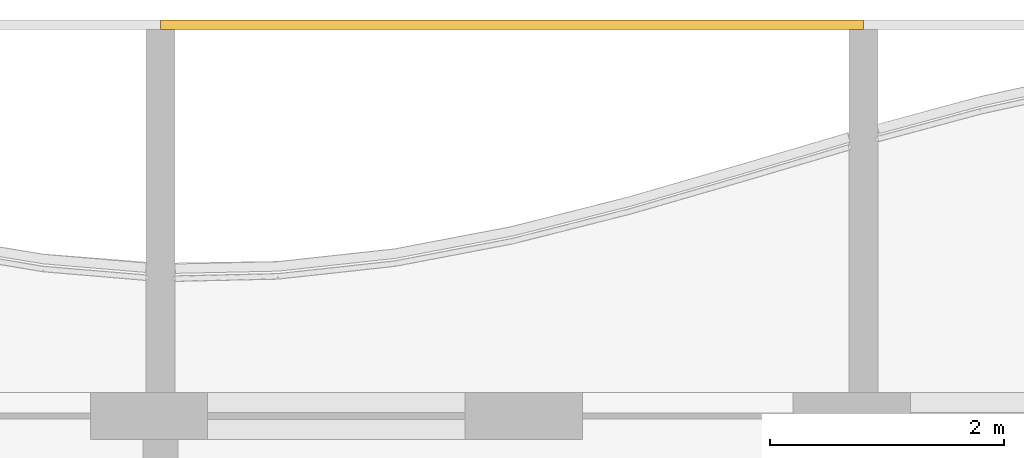
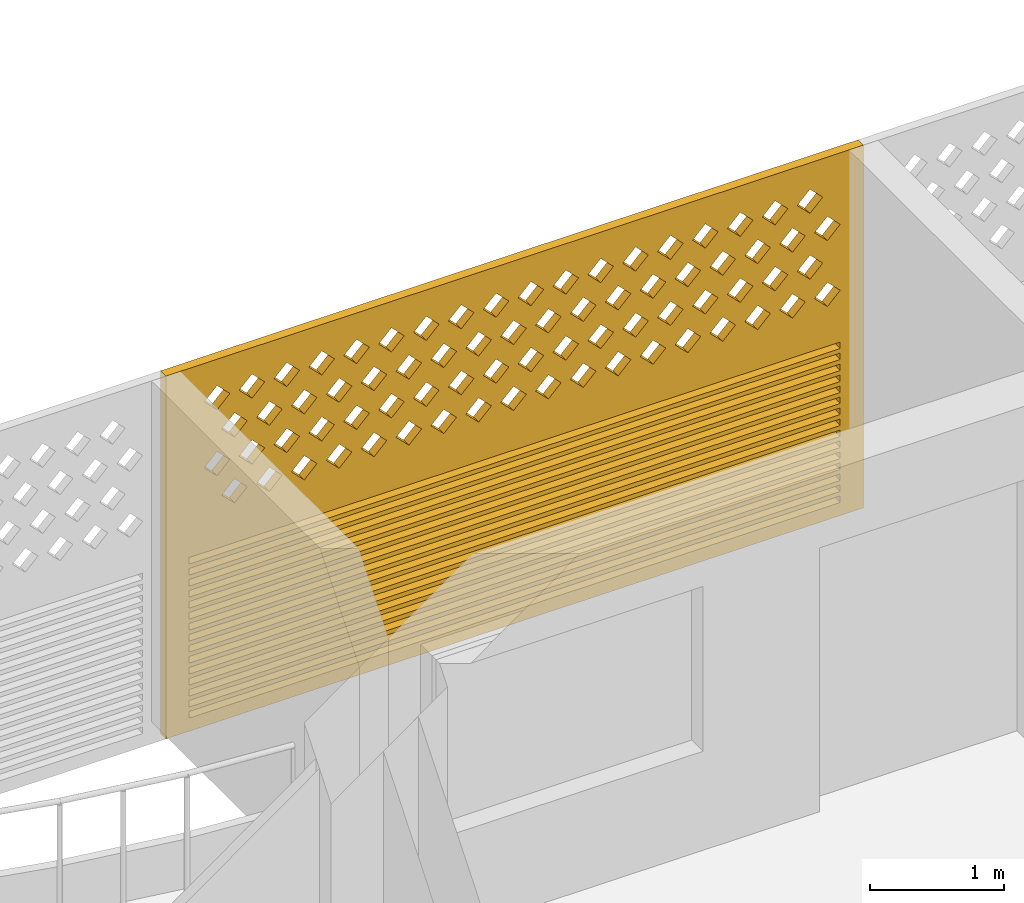
# One storey, part 22 of 32: 1 covering.
"""IFC4 building model written with IfcOpenShell, lengths in metres."""

from ifc_helpers import new_model, si_unit, direction, frame, origin, place, context, subcontext, project, spatial, polyline, outline, extrude, source, transform, mapped, material, material_profile, profile_set, type_object, element, save


model = new_model("IFC4")

# Units and contexts
model_context = context("Model", 3, precision=1e-05, world=origin(), true_north=direction((0.0, 1.0)))
body_context = subcontext(model_context, "Body", "Model", "MODEL_VIEW")
ifc_project = project(units=[si_unit("LENGTHUNIT", "METRE"), si_unit("AREAUNIT", "SQUARE_METRE"), si_unit("VOLUMEUNIT", "CUBIC_METRE"), si_unit("PLANEANGLEUNIT", "RADIAN"), si_unit("MASSUNIT", "GRAM", prefix="KILO")], contexts=[model_context])

# Site, building, storey
site_placement = place(None, origin())
site = spatial("IfcSite", under=ifc_project, at=site_placement, CompositionType="ELEMENT")
building_placement = place(site_placement, origin())
building = spatial("IfcBuilding", under=site, at=building_placement, Name="Poui Terraces", CompositionType="ELEMENT")
storey_placement = place(building_placement, frame((0.0, 0.0, 125.699951171875)))
storey = spatial("IfcBuildingStorey", under=building, at=storey_placement, Name="L34", CompositionType="ELEMENT", Elevation=125.699951171875)

# Covering
ifc_material = material(Name="Terracotta screen", Category="masonry")
ifc_material_profile = material_profile(ifc_material, outline(polyline([(-3.0, -1.64990234375), (3.0, -1.64990234375), (3.0, 1.64990234375), (-3.0, 1.64990234375), (-3.0, -1.64990234375)]), holes=[polyline([(-2.800048828125, 0.39990234375), (-2.68994140625, 0.2900390625), (-2.580078125, 0.39990234375), (-2.68994140625, 0.510009765625), (-2.800048828125, 0.39990234375)]), polyline([(-2.5, 0.39990234375), (-2.389892578125, 0.2900390625), (-2.280029296875, 0.39990234375), (-2.389892578125, 0.510009765625), (-2.5, 0.39990234375)]), polyline([(-2.199951171875, 0.39990234375), (-2.090087890625, 0.2900390625), (-1.97998046875, 0.39990234375), (-2.090087890625, 0.510009765625), (-2.199951171875, 0.39990234375)]), polyline([(-1.89990234375, 0.39990234375), (-1.7900390625, 0.2900390625), (-1.679931640625, 0.39990234375), (-1.7900390625, 0.510009765625), (-1.89990234375, 0.39990234375)]), polyline([(-1.60009765625, 0.39990234375), (-1.489990234375, 0.2900390625), (-1.3798828125, 0.39990234375), (-1.489990234375, 0.510009765625), (-1.60009765625, 0.39990234375)]), polyline([(-1.300048828125, 0.39990234375), (-1.18994140625, 0.2900390625), (-1.080078125, 0.39990234375), (-1.18994140625, 0.510009765625), (-1.300048828125, 0.39990234375)]), polyline([(-1.0, 0.39990234375), (-0.889892578125, 0.2900390625), (-0.780029296875, 0.39990234375), (-0.889892578125, 0.510009765625), (-1.0, 0.39990234375)]), polyline([(-0.699951171875, 0.39990234375), (-0.590087890625, 0.2900390625), (-0.47998046875, 0.39990234375), (-0.590087890625, 0.510009765625), (-0.699951171875, 0.39990234375)]), polyline([(-0.39990234375, 0.39990234375), (-0.2900390625, 0.2900390625), (-0.179931640625, 0.39990234375), (-0.2900390625, 0.510009765625), (-0.39990234375, 0.39990234375)]), polyline([(-0.10009765625, 0.39990234375), (0.010009765625, 0.2900390625), (0.1201171875, 0.39990234375), (0.010009765625, 0.510009765625), (-0.10009765625, 0.39990234375)]), polyline([(0.199951171875, 0.39990234375), (0.31005859375, 0.2900390625), (0.419921875, 0.39990234375), (0.31005859375, 0.510009765625), (0.199951171875, 0.39990234375)]), polyline([(0.5, 0.39990234375), (0.610107421875, 0.2900390625), (0.719970703125, 0.39990234375), (0.610107421875, 0.510009765625), (0.5, 0.39990234375)]), polyline([(0.800048828125, 0.39990234375), (0.909912109375, 0.2900390625), (1.02001953125, 0.39990234375), (0.909912109375, 0.510009765625), (0.800048828125, 0.39990234375)]), polyline([(1.10009765625, 0.39990234375), (1.2099609375, 0.2900390625), (1.320068359375, 0.39990234375), (1.2099609375, 0.510009765625), (1.10009765625, 0.39990234375)]), polyline([(1.39990234375, 0.39990234375), (1.510009765625, 0.2900390625), (1.6201171875, 0.39990234375), (1.510009765625, 0.510009765625), (1.39990234375, 0.39990234375)]), polyline([(1.699951171875, 0.39990234375), (1.81005859375, 0.2900390625), (1.919921875, 0.39990234375), (1.81005859375, 0.510009765625), (1.699951171875, 0.39990234375)]), polyline([(2.0, 0.39990234375), (2.110107421875, 0.2900390625), (2.219970703125, 0.39990234375), (2.110107421875, 0.510009765625), (2.0, 0.39990234375)]), polyline([(2.300048828125, 0.39990234375), (2.409912109375, 0.2900390625), (2.52001953125, 0.39990234375), (2.409912109375, 0.510009765625), (2.300048828125, 0.39990234375)]), polyline([(-2.64990234375, 0.699951171875), (-2.5400390625, 0.590087890625), (-2.429931640625, 0.699951171875), (-2.5400390625, 0.81005859375), (-2.64990234375, 0.699951171875)]), polyline([(-2.35009765625, 0.699951171875), (-2.239990234375, 0.590087890625), (-2.1298828125, 0.699951171875), (-2.239990234375, 0.81005859375), (-2.35009765625, 0.699951171875)]), polyline([(-2.050048828125, 0.699951171875), (-1.93994140625, 0.590087890625), (-1.830078125, 0.699951171875), (-1.93994140625, 0.81005859375), (-2.050048828125, 0.699951171875)]), polyline([(-1.75, 0.699951171875), (-1.639892578125, 0.590087890625), (-1.530029296875, 0.699951171875), (-1.639892578125, 0.81005859375), (-1.75, 0.699951171875)]), polyline([(-1.449951171875, 0.699951171875), (-1.340087890625, 0.590087890625), (-1.22998046875, 0.699951171875), (-1.340087890625, 0.81005859375), (-1.449951171875, 0.699951171875)]), polyline([(-1.14990234375, 0.699951171875), (-1.0400390625, 0.590087890625), (-0.929931640625, 0.699951171875), (-1.0400390625, 0.81005859375), (-1.14990234375, 0.699951171875)]), polyline([(-0.85009765625, 0.699951171875), (-0.739990234375, 0.590087890625), (-0.6298828125, 0.699951171875), (-0.739990234375, 0.81005859375), (-0.85009765625, 0.699951171875)]), polyline([(-0.550048828125, 0.699951171875), (-0.43994140625, 0.590087890625), (-0.330078125, 0.699951171875), (-0.43994140625, 0.81005859375), (-0.550048828125, 0.699951171875)]), polyline([(-0.25, 0.699951171875), (-0.139892578125, 0.590087890625), (-0.030029296875, 0.699951171875), (-0.139892578125, 0.81005859375), (-0.25, 0.699951171875)]), polyline([(0.050048828125, 0.699951171875), (0.159912109375, 0.590087890625), (0.27001953125, 0.699951171875), (0.159912109375, 0.81005859375), (0.050048828125, 0.699951171875)]), polyline([(0.35009765625, 0.699951171875), (0.4599609375, 0.590087890625), (0.570068359375, 0.699951171875), (0.4599609375, 0.81005859375), (0.35009765625, 0.699951171875)]), polyline([(0.64990234375, 0.699951171875), (0.760009765625, 0.590087890625), (0.8701171875, 0.699951171875), (0.760009765625, 0.81005859375), (0.64990234375, 0.699951171875)]), polyline([(0.949951171875, 0.699951171875), (1.06005859375, 0.590087890625), (1.169921875, 0.699951171875), (1.06005859375, 0.81005859375), (0.949951171875, 0.699951171875)]), polyline([(1.25, 0.699951171875), (1.360107421875, 0.590087890625), (1.469970703125, 0.699951171875), (1.360107421875, 0.81005859375), (1.25, 0.699951171875)]), polyline([(1.550048828125, 0.699951171875), (1.659912109375, 0.590087890625), (1.77001953125, 0.699951171875), (1.659912109375, 0.81005859375), (1.550048828125, 0.699951171875)]), polyline([(1.85009765625, 0.699951171875), (1.9599609375, 0.590087890625), (2.070068359375, 0.699951171875), (1.9599609375, 0.81005859375), (1.85009765625, 0.699951171875)]), polyline([(2.14990234375, 0.699951171875), (2.260009765625, 0.590087890625), (2.3701171875, 0.699951171875), (2.260009765625, 0.81005859375), (2.14990234375, 0.699951171875)]), polyline([(2.449951171875, 0.699951171875), (2.56005859375, 0.590087890625), (2.669921875, 0.699951171875), (2.56005859375, 0.81005859375), (2.449951171875, 0.699951171875)]), polyline([(-2.800048828125, 1.0), (-2.68994140625, 0.889892578125), (-2.580078125, 1.0), (-2.68994140625, 1.110107421875), (-2.800048828125, 1.0)]), polyline([(-2.5, 1.0), (-2.389892578125, 0.889892578125), (-2.280029296875, 1.0), (-2.389892578125, 1.110107421875), (-2.5, 1.0)]), polyline([(-2.199951171875, 1.0), (-2.090087890625, 0.889892578125), (-1.97998046875, 1.0), (-2.090087890625, 1.110107421875), (-2.199951171875, 1.0)]), polyline([(-1.89990234375, 1.0), (-1.7900390625, 0.889892578125), (-1.679931640625, 1.0), (-1.7900390625, 1.110107421875), (-1.89990234375, 1.0)]), polyline([(-1.60009765625, 1.0), (-1.489990234375, 0.889892578125), (-1.3798828125, 1.0), (-1.489990234375, 1.110107421875), (-1.60009765625, 1.0)]), polyline([(-1.300048828125, 1.0), (-1.18994140625, 0.889892578125), (-1.080078125, 1.0), (-1.18994140625, 1.110107421875), (-1.300048828125, 1.0)]), polyline([(-1.0, 1.0), (-0.889892578125, 0.889892578125), (-0.780029296875, 1.0), (-0.889892578125, 1.110107421875), (-1.0, 1.0)]), polyline([(-0.699951171875, 1.0), (-0.590087890625, 0.889892578125), (-0.47998046875, 1.0), (-0.590087890625, 1.110107421875), (-0.699951171875, 1.0)]), polyline([(-0.39990234375, 1.0), (-0.2900390625, 0.889892578125), (-0.179931640625, 1.0), (-0.2900390625, 1.110107421875), (-0.39990234375, 1.0)]), polyline([(-0.10009765625, 1.0), (0.010009765625, 0.889892578125), (0.1201171875, 1.0), (0.010009765625, 1.110107421875), (-0.10009765625, 1.0)]), polyline([(0.199951171875, 1.0), (0.31005859375, 0.889892578125), (0.419921875, 1.0), (0.31005859375, 1.110107421875), (0.199951171875, 1.0)]), polyline([(0.5, 1.0), (0.610107421875, 0.889892578125), (0.719970703125, 1.0), (0.610107421875, 1.110107421875), (0.5, 1.0)]), polyline([(0.800048828125, 1.0), (0.909912109375, 0.889892578125), (1.02001953125, 1.0), (0.909912109375, 1.110107421875), (0.800048828125, 1.0)]), polyline([(1.10009765625, 1.0), (1.2099609375, 0.889892578125), (1.320068359375, 1.0), (1.2099609375, 1.110107421875), (1.10009765625, 1.0)]), polyline([(1.39990234375, 1.0), (1.510009765625, 0.889892578125), (1.6201171875, 1.0), (1.510009765625, 1.110107421875), (1.39990234375, 1.0)]), polyline([(1.699951171875, 1.0), (1.81005859375, 0.889892578125), (1.919921875, 1.0), (1.81005859375, 1.110107421875), (1.699951171875, 1.0)]), polyline([(2.0, 1.0), (2.110107421875, 0.889892578125), (2.219970703125, 1.0), (2.110107421875, 1.110107421875), (2.0, 1.0)]), polyline([(2.300048828125, 1.0), (2.409912109375, 0.889892578125), (2.52001953125, 1.0), (2.409912109375, 1.110107421875), (2.300048828125, 1.0)]), polyline([(-2.64990234375, 1.300048828125), (-2.5400390625, 1.18994140625), (-2.429931640625, 1.300048828125), (-2.5400390625, 1.409912109375), (-2.64990234375, 1.300048828125)]), polyline([(-2.35009765625, 1.300048828125), (-2.239990234375, 1.18994140625), (-2.1298828125, 1.300048828125), (-2.239990234375, 1.409912109375), (-2.35009765625, 1.300048828125)]), polyline([(-2.050048828125, 1.300048828125), (-1.93994140625, 1.18994140625), (-1.830078125, 1.300048828125), (-1.93994140625, 1.409912109375), (-2.050048828125, 1.300048828125)]), polyline([(-1.75, 1.300048828125), (-1.639892578125, 1.18994140625), (-1.530029296875, 1.300048828125), (-1.639892578125, 1.409912109375), (-1.75, 1.300048828125)]), polyline([(-1.449951171875, 1.300048828125), (-1.340087890625, 1.18994140625), (-1.22998046875, 1.300048828125), (-1.340087890625, 1.409912109375), (-1.449951171875, 1.300048828125)]), polyline([(-1.14990234375, 1.300048828125), (-1.0400390625, 1.18994140625), (-0.929931640625, 1.300048828125), (-1.0400390625, 1.409912109375), (-1.14990234375, 1.300048828125)]), polyline([(-0.85009765625, 1.300048828125), (-0.739990234375, 1.18994140625), (-0.6298828125, 1.300048828125), (-0.739990234375, 1.409912109375), (-0.85009765625, 1.300048828125)]), polyline([(-0.550048828125, 1.300048828125), (-0.43994140625, 1.18994140625), (-0.330078125, 1.300048828125), (-0.43994140625, 1.409912109375), (-0.550048828125, 1.300048828125)]), polyline([(-0.25, 1.300048828125), (-0.139892578125, 1.18994140625), (-0.030029296875, 1.300048828125), (-0.139892578125, 1.409912109375), (-0.25, 1.300048828125)]), polyline([(0.050048828125, 1.300048828125), (0.159912109375, 1.18994140625), (0.27001953125, 1.300048828125), (0.159912109375, 1.409912109375), (0.050048828125, 1.300048828125)]), polyline([(0.35009765625, 1.300048828125), (0.4599609375, 1.18994140625), (0.570068359375, 1.300048828125), (0.4599609375, 1.409912109375), (0.35009765625, 1.300048828125)]), polyline([(0.64990234375, 1.300048828125), (0.760009765625, 1.18994140625), (0.8701171875, 1.300048828125), (0.760009765625, 1.409912109375), (0.64990234375, 1.300048828125)]), polyline([(0.949951171875, 1.300048828125), (1.06005859375, 1.18994140625), (1.169921875, 1.300048828125), (1.06005859375, 1.409912109375), (0.949951171875, 1.300048828125)]), polyline([(1.25, 1.300048828125), (1.360107421875, 1.18994140625), (1.469970703125, 1.300048828125), (1.360107421875, 1.409912109375), (1.25, 1.300048828125)]), polyline([(1.550048828125, 1.300048828125), (1.659912109375, 1.18994140625), (1.77001953125, 1.300048828125), (1.659912109375, 1.409912109375), (1.550048828125, 1.300048828125)]), polyline([(1.85009765625, 1.300048828125), (1.9599609375, 1.18994140625), (2.070068359375, 1.300048828125), (1.9599609375, 1.409912109375), (1.85009765625, 1.300048828125)]), polyline([(2.14990234375, 1.300048828125), (2.260009765625, 1.18994140625), (2.3701171875, 1.300048828125), (2.260009765625, 1.409912109375), (2.14990234375, 1.300048828125)]), polyline([(2.449951171875, 1.300048828125), (2.56005859375, 1.18994140625), (2.669921875, 1.300048828125), (2.56005859375, 1.409912109375), (2.449951171875, 1.300048828125)]), polyline([(-2.800048828125, -1.530029296875), (2.800048828125, -1.530029296875), (2.800048828125, -1.469970703125), (-2.800048828125, -1.469970703125), (-2.800048828125, -1.530029296875)]), polyline([(-2.800048828125, -1.429931640625), (2.800048828125, -1.429931640625), (2.800048828125, -1.3701171875), (-2.800048828125, -1.3701171875), (-2.800048828125, -1.429931640625)]), polyline([(-2.800048828125, -1.330078125), (2.800048828125, -1.330078125), (2.800048828125, -1.27001953125), (-2.800048828125, -1.27001953125), (-2.800048828125, -1.330078125)]), polyline([(-2.800048828125, -1.22998046875), (2.800048828125, -1.22998046875), (2.800048828125, -1.169921875), (-2.800048828125, -1.169921875), (-2.800048828125, -1.22998046875)]), polyline([(-2.800048828125, -1.1298828125), (2.800048828125, -1.1298828125), (2.800048828125, -1.070068359375), (-2.800048828125, -1.070068359375), (-2.800048828125, -1.1298828125)]), polyline([(-2.800048828125, -1.030029296875), (2.800048828125, -1.030029296875), (2.800048828125, -0.969970703125), (-2.800048828125, -0.969970703125), (-2.800048828125, -1.030029296875)]), polyline([(-2.800048828125, -0.929931640625), (2.800048828125, -0.929931640625), (2.800048828125, -0.8701171875), (-2.800048828125, -0.8701171875), (-2.800048828125, -0.929931640625)]), polyline([(-2.800048828125, -0.830078125), (2.800048828125, -0.830078125), (2.800048828125, -0.77001953125), (-2.800048828125, -0.77001953125), (-2.800048828125, -0.830078125)]), polyline([(-2.800048828125, -0.72998046875), (2.800048828125, -0.72998046875), (2.800048828125, -0.669921875), (-2.800048828125, -0.669921875), (-2.800048828125, -0.72998046875)]), polyline([(-2.800048828125, -0.6298828125), (2.800048828125, -0.6298828125), (2.800048828125, -0.570068359375), (-2.800048828125, -0.570068359375), (-2.800048828125, -0.6298828125)]), polyline([(-2.800048828125, -0.530029296875), (2.800048828125, -0.530029296875), (2.800048828125, -0.469970703125), (-2.800048828125, -0.469970703125), (-2.800048828125, -0.530029296875)]), polyline([(-2.800048828125, -0.429931640625), (2.800048828125, -0.429931640625), (2.800048828125, -0.3701171875), (-2.800048828125, -0.3701171875), (-2.800048828125, -0.429931640625)]), polyline([(-2.800048828125, -0.330078125), (2.800048828125, -0.330078125), (2.800048828125, -0.27001953125), (-2.800048828125, -0.27001953125), (-2.800048828125, -0.330078125)]), polyline([(-2.800048828125, -0.22998046875), (2.800048828125, -0.22998046875), (2.800048828125, -0.169921875), (-2.800048828125, -0.169921875), (-2.800048828125, -0.22998046875)]), polyline([(-2.800048828125, -0.1298828125), (2.800048828125, -0.1298828125), (2.800048828125, -0.070068359375), (-2.800048828125, -0.070068359375), (-2.800048828125, -0.1298828125)])]), Name="TERRACOTTA SCREEN AND JALOUSIE LOUVRE 6000X3300")
ifc_profile_set = profile_set([ifc_material_profile], Name="Terracotta screen")
covering_type = type_object("IfcCoveringType", Name="TERRACOTTA SCREEN AND JALOUSIE LOUVRE 6000X3300", PredefinedType="CLADDING", material=ifc_profile_set)
shared_shape = source(origin(), body_context, "Body", "SweptSolid", [
    extrude(outline(polyline([(-3.0, -1.64990234375), (3.0, -1.64990234375), (3.0, 1.64990234375), (-3.0, 1.64990234375), (-3.0, -1.64990234375)]), holes=[polyline([(-2.800048828125, 0.39990234375), (-2.68994140625, 0.2900390625), (-2.580078125, 0.39990234375), (-2.68994140625, 0.510009765625), (-2.800048828125, 0.39990234375)]), polyline([(-2.5, 0.39990234375), (-2.389892578125, 0.2900390625), (-2.280029296875, 0.39990234375), (-2.389892578125, 0.510009765625), (-2.5, 0.39990234375)]), polyline([(-2.199951171875, 0.39990234375), (-2.090087890625, 0.2900390625), (-1.97998046875, 0.39990234375), (-2.090087890625, 0.510009765625), (-2.199951171875, 0.39990234375)]), polyline([(-1.89990234375, 0.39990234375), (-1.7900390625, 0.2900390625), (-1.679931640625, 0.39990234375), (-1.7900390625, 0.510009765625), (-1.89990234375, 0.39990234375)]), polyline([(-1.60009765625, 0.39990234375), (-1.489990234375, 0.2900390625), (-1.3798828125, 0.39990234375), (-1.489990234375, 0.510009765625), (-1.60009765625, 0.39990234375)]), polyline([(-1.300048828125, 0.39990234375), (-1.18994140625, 0.2900390625), (-1.080078125, 0.39990234375), (-1.18994140625, 0.510009765625), (-1.300048828125, 0.39990234375)]), polyline([(-1.0, 0.39990234375), (-0.889892578125, 0.2900390625), (-0.780029296875, 0.39990234375), (-0.889892578125, 0.510009765625), (-1.0, 0.39990234375)]), polyline([(-0.699951171875, 0.39990234375), (-0.590087890625, 0.2900390625), (-0.47998046875, 0.39990234375), (-0.590087890625, 0.510009765625), (-0.699951171875, 0.39990234375)]), polyline([(-0.39990234375, 0.39990234375), (-0.2900390625, 0.2900390625), (-0.179931640625, 0.39990234375), (-0.2900390625, 0.510009765625), (-0.39990234375, 0.39990234375)]), polyline([(-0.10009765625, 0.39990234375), (0.010009765625, 0.2900390625), (0.1201171875, 0.39990234375), (0.010009765625, 0.510009765625), (-0.10009765625, 0.39990234375)]), polyline([(0.199951171875, 0.39990234375), (0.31005859375, 0.2900390625), (0.419921875, 0.39990234375), (0.31005859375, 0.510009765625), (0.199951171875, 0.39990234375)]), polyline([(0.5, 0.39990234375), (0.610107421875, 0.2900390625), (0.719970703125, 0.39990234375), (0.610107421875, 0.510009765625), (0.5, 0.39990234375)]), polyline([(0.800048828125, 0.39990234375), (0.909912109375, 0.2900390625), (1.02001953125, 0.39990234375), (0.909912109375, 0.510009765625), (0.800048828125, 0.39990234375)]), polyline([(1.10009765625, 0.39990234375), (1.2099609375, 0.2900390625), (1.320068359375, 0.39990234375), (1.2099609375, 0.510009765625), (1.10009765625, 0.39990234375)]), polyline([(1.39990234375, 0.39990234375), (1.510009765625, 0.2900390625), (1.6201171875, 0.39990234375), (1.510009765625, 0.510009765625), (1.39990234375, 0.39990234375)]), polyline([(1.699951171875, 0.39990234375), (1.81005859375, 0.2900390625), (1.919921875, 0.39990234375), (1.81005859375, 0.510009765625), (1.699951171875, 0.39990234375)]), polyline([(2.0, 0.39990234375), (2.110107421875, 0.2900390625), (2.219970703125, 0.39990234375), (2.110107421875, 0.510009765625), (2.0, 0.39990234375)]), polyline([(2.300048828125, 0.39990234375), (2.409912109375, 0.2900390625), (2.52001953125, 0.39990234375), (2.409912109375, 0.510009765625), (2.300048828125, 0.39990234375)]), polyline([(-2.64990234375, 0.699951171875), (-2.5400390625, 0.590087890625), (-2.429931640625, 0.699951171875), (-2.5400390625, 0.81005859375), (-2.64990234375, 0.699951171875)]), polyline([(-2.35009765625, 0.699951171875), (-2.239990234375, 0.590087890625), (-2.1298828125, 0.699951171875), (-2.239990234375, 0.81005859375), (-2.35009765625, 0.699951171875)]), polyline([(-2.050048828125, 0.699951171875), (-1.93994140625, 0.590087890625), (-1.830078125, 0.699951171875), (-1.93994140625, 0.81005859375), (-2.050048828125, 0.699951171875)]), polyline([(-1.75, 0.699951171875), (-1.639892578125, 0.590087890625), (-1.530029296875, 0.699951171875), (-1.639892578125, 0.81005859375), (-1.75, 0.699951171875)]), polyline([(-1.449951171875, 0.699951171875), (-1.340087890625, 0.590087890625), (-1.22998046875, 0.699951171875), (-1.340087890625, 0.81005859375), (-1.449951171875, 0.699951171875)]), polyline([(-1.14990234375, 0.699951171875), (-1.0400390625, 0.590087890625), (-0.929931640625, 0.699951171875), (-1.0400390625, 0.81005859375), (-1.14990234375, 0.699951171875)]), polyline([(-0.85009765625, 0.699951171875), (-0.739990234375, 0.590087890625), (-0.6298828125, 0.699951171875), (-0.739990234375, 0.81005859375), (-0.85009765625, 0.699951171875)]), polyline([(-0.550048828125, 0.699951171875), (-0.43994140625, 0.590087890625), (-0.330078125, 0.699951171875), (-0.43994140625, 0.81005859375), (-0.550048828125, 0.699951171875)]), polyline([(-0.25, 0.699951171875), (-0.139892578125, 0.590087890625), (-0.030029296875, 0.699951171875), (-0.139892578125, 0.81005859375), (-0.25, 0.699951171875)]), polyline([(0.050048828125, 0.699951171875), (0.159912109375, 0.590087890625), (0.27001953125, 0.699951171875), (0.159912109375, 0.81005859375), (0.050048828125, 0.699951171875)]), polyline([(0.35009765625, 0.699951171875), (0.4599609375, 0.590087890625), (0.570068359375, 0.699951171875), (0.4599609375, 0.81005859375), (0.35009765625, 0.699951171875)]), polyline([(0.64990234375, 0.699951171875), (0.760009765625, 0.590087890625), (0.8701171875, 0.699951171875), (0.760009765625, 0.81005859375), (0.64990234375, 0.699951171875)]), polyline([(0.949951171875, 0.699951171875), (1.06005859375, 0.590087890625), (1.169921875, 0.699951171875), (1.06005859375, 0.81005859375), (0.949951171875, 0.699951171875)]), polyline([(1.25, 0.699951171875), (1.360107421875, 0.590087890625), (1.469970703125, 0.699951171875), (1.360107421875, 0.81005859375), (1.25, 0.699951171875)]), polyline([(1.550048828125, 0.699951171875), (1.659912109375, 0.590087890625), (1.77001953125, 0.699951171875), (1.659912109375, 0.81005859375), (1.550048828125, 0.699951171875)]), polyline([(1.85009765625, 0.699951171875), (1.9599609375, 0.590087890625), (2.070068359375, 0.699951171875), (1.9599609375, 0.81005859375), (1.85009765625, 0.699951171875)]), polyline([(2.14990234375, 0.699951171875), (2.260009765625, 0.590087890625), (2.3701171875, 0.699951171875), (2.260009765625, 0.81005859375), (2.14990234375, 0.699951171875)]), polyline([(2.449951171875, 0.699951171875), (2.56005859375, 0.590087890625), (2.669921875, 0.699951171875), (2.56005859375, 0.81005859375), (2.449951171875, 0.699951171875)]), polyline([(-2.800048828125, 1.0), (-2.68994140625, 0.889892578125), (-2.580078125, 1.0), (-2.68994140625, 1.110107421875), (-2.800048828125, 1.0)]), polyline([(-2.5, 1.0), (-2.389892578125, 0.889892578125), (-2.280029296875, 1.0), (-2.389892578125, 1.110107421875), (-2.5, 1.0)]), polyline([(-2.199951171875, 1.0), (-2.090087890625, 0.889892578125), (-1.97998046875, 1.0), (-2.090087890625, 1.110107421875), (-2.199951171875, 1.0)]), polyline([(-1.89990234375, 1.0), (-1.7900390625, 0.889892578125), (-1.679931640625, 1.0), (-1.7900390625, 1.110107421875), (-1.89990234375, 1.0)]), polyline([(-1.60009765625, 1.0), (-1.489990234375, 0.889892578125), (-1.3798828125, 1.0), (-1.489990234375, 1.110107421875), (-1.60009765625, 1.0)]), polyline([(-1.300048828125, 1.0), (-1.18994140625, 0.889892578125), (-1.080078125, 1.0), (-1.18994140625, 1.110107421875), (-1.300048828125, 1.0)]), polyline([(-1.0, 1.0), (-0.889892578125, 0.889892578125), (-0.780029296875, 1.0), (-0.889892578125, 1.110107421875), (-1.0, 1.0)]), polyline([(-0.699951171875, 1.0), (-0.590087890625, 0.889892578125), (-0.47998046875, 1.0), (-0.590087890625, 1.110107421875), (-0.699951171875, 1.0)]), polyline([(-0.39990234375, 1.0), (-0.2900390625, 0.889892578125), (-0.179931640625, 1.0), (-0.2900390625, 1.110107421875), (-0.39990234375, 1.0)]), polyline([(-0.10009765625, 1.0), (0.010009765625, 0.889892578125), (0.1201171875, 1.0), (0.010009765625, 1.110107421875), (-0.10009765625, 1.0)]), polyline([(0.199951171875, 1.0), (0.31005859375, 0.889892578125), (0.419921875, 1.0), (0.31005859375, 1.110107421875), (0.199951171875, 1.0)]), polyline([(0.5, 1.0), (0.610107421875, 0.889892578125), (0.719970703125, 1.0), (0.610107421875, 1.110107421875), (0.5, 1.0)]), polyline([(0.800048828125, 1.0), (0.909912109375, 0.889892578125), (1.02001953125, 1.0), (0.909912109375, 1.110107421875), (0.800048828125, 1.0)]), polyline([(1.10009765625, 1.0), (1.2099609375, 0.889892578125), (1.320068359375, 1.0), (1.2099609375, 1.110107421875), (1.10009765625, 1.0)]), polyline([(1.39990234375, 1.0), (1.510009765625, 0.889892578125), (1.6201171875, 1.0), (1.510009765625, 1.110107421875), (1.39990234375, 1.0)]), polyline([(1.699951171875, 1.0), (1.81005859375, 0.889892578125), (1.919921875, 1.0), (1.81005859375, 1.110107421875), (1.699951171875, 1.0)]), polyline([(2.0, 1.0), (2.110107421875, 0.889892578125), (2.219970703125, 1.0), (2.110107421875, 1.110107421875), (2.0, 1.0)]), polyline([(2.300048828125, 1.0), (2.409912109375, 0.889892578125), (2.52001953125, 1.0), (2.409912109375, 1.110107421875), (2.300048828125, 1.0)]), polyline([(-2.64990234375, 1.300048828125), (-2.5400390625, 1.18994140625), (-2.429931640625, 1.300048828125), (-2.5400390625, 1.409912109375), (-2.64990234375, 1.300048828125)]), polyline([(-2.35009765625, 1.300048828125), (-2.239990234375, 1.18994140625), (-2.1298828125, 1.300048828125), (-2.239990234375, 1.409912109375), (-2.35009765625, 1.300048828125)]), polyline([(-2.050048828125, 1.300048828125), (-1.93994140625, 1.18994140625), (-1.830078125, 1.300048828125), (-1.93994140625, 1.409912109375), (-2.050048828125, 1.300048828125)]), polyline([(-1.75, 1.300048828125), (-1.639892578125, 1.18994140625), (-1.530029296875, 1.300048828125), (-1.639892578125, 1.409912109375), (-1.75, 1.300048828125)]), polyline([(-1.449951171875, 1.300048828125), (-1.340087890625, 1.18994140625), (-1.22998046875, 1.300048828125), (-1.340087890625, 1.409912109375), (-1.449951171875, 1.300048828125)]), polyline([(-1.14990234375, 1.300048828125), (-1.0400390625, 1.18994140625), (-0.929931640625, 1.300048828125), (-1.0400390625, 1.409912109375), (-1.14990234375, 1.300048828125)]), polyline([(-0.85009765625, 1.300048828125), (-0.739990234375, 1.18994140625), (-0.6298828125, 1.300048828125), (-0.739990234375, 1.409912109375), (-0.85009765625, 1.300048828125)]), polyline([(-0.550048828125, 1.300048828125), (-0.43994140625, 1.18994140625), (-0.330078125, 1.300048828125), (-0.43994140625, 1.409912109375), (-0.550048828125, 1.300048828125)]), polyline([(-0.25, 1.300048828125), (-0.139892578125, 1.18994140625), (-0.030029296875, 1.300048828125), (-0.139892578125, 1.409912109375), (-0.25, 1.300048828125)]), polyline([(0.050048828125, 1.300048828125), (0.159912109375, 1.18994140625), (0.27001953125, 1.300048828125), (0.159912109375, 1.409912109375), (0.050048828125, 1.300048828125)]), polyline([(0.35009765625, 1.300048828125), (0.4599609375, 1.18994140625), (0.570068359375, 1.300048828125), (0.4599609375, 1.409912109375), (0.35009765625, 1.300048828125)]), polyline([(0.64990234375, 1.300048828125), (0.760009765625, 1.18994140625), (0.8701171875, 1.300048828125), (0.760009765625, 1.409912109375), (0.64990234375, 1.300048828125)]), polyline([(0.949951171875, 1.300048828125), (1.06005859375, 1.18994140625), (1.169921875, 1.300048828125), (1.06005859375, 1.409912109375), (0.949951171875, 1.300048828125)]), polyline([(1.25, 1.300048828125), (1.360107421875, 1.18994140625), (1.469970703125, 1.300048828125), (1.360107421875, 1.409912109375), (1.25, 1.300048828125)]), polyline([(1.550048828125, 1.300048828125), (1.659912109375, 1.18994140625), (1.77001953125, 1.300048828125), (1.659912109375, 1.409912109375), (1.550048828125, 1.300048828125)]), polyline([(1.85009765625, 1.300048828125), (1.9599609375, 1.18994140625), (2.070068359375, 1.300048828125), (1.9599609375, 1.409912109375), (1.85009765625, 1.300048828125)]), polyline([(2.14990234375, 1.300048828125), (2.260009765625, 1.18994140625), (2.3701171875, 1.300048828125), (2.260009765625, 1.409912109375), (2.14990234375, 1.300048828125)]), polyline([(2.449951171875, 1.300048828125), (2.56005859375, 1.18994140625), (2.669921875, 1.300048828125), (2.56005859375, 1.409912109375), (2.449951171875, 1.300048828125)]), polyline([(-2.800048828125, -1.530029296875), (2.800048828125, -1.530029296875), (2.800048828125, -1.469970703125), (-2.800048828125, -1.469970703125), (-2.800048828125, -1.530029296875)]), polyline([(-2.800048828125, -1.429931640625), (2.800048828125, -1.429931640625), (2.800048828125, -1.3701171875), (-2.800048828125, -1.3701171875), (-2.800048828125, -1.429931640625)]), polyline([(-2.800048828125, -1.330078125), (2.800048828125, -1.330078125), (2.800048828125, -1.27001953125), (-2.800048828125, -1.27001953125), (-2.800048828125, -1.330078125)]), polyline([(-2.800048828125, -1.22998046875), (2.800048828125, -1.22998046875), (2.800048828125, -1.169921875), (-2.800048828125, -1.169921875), (-2.800048828125, -1.22998046875)]), polyline([(-2.800048828125, -1.1298828125), (2.800048828125, -1.1298828125), (2.800048828125, -1.070068359375), (-2.800048828125, -1.070068359375), (-2.800048828125, -1.1298828125)]), polyline([(-2.800048828125, -1.030029296875), (2.800048828125, -1.030029296875), (2.800048828125, -0.969970703125), (-2.800048828125, -0.969970703125), (-2.800048828125, -1.030029296875)]), polyline([(-2.800048828125, -0.929931640625), (2.800048828125, -0.929931640625), (2.800048828125, -0.8701171875), (-2.800048828125, -0.8701171875), (-2.800048828125, -0.929931640625)]), polyline([(-2.800048828125, -0.830078125), (2.800048828125, -0.830078125), (2.800048828125, -0.77001953125), (-2.800048828125, -0.77001953125), (-2.800048828125, -0.830078125)]), polyline([(-2.800048828125, -0.72998046875), (2.800048828125, -0.72998046875), (2.800048828125, -0.669921875), (-2.800048828125, -0.669921875), (-2.800048828125, -0.72998046875)]), polyline([(-2.800048828125, -0.6298828125), (2.800048828125, -0.6298828125), (2.800048828125, -0.570068359375), (-2.800048828125, -0.570068359375), (-2.800048828125, -0.6298828125)]), polyline([(-2.800048828125, -0.530029296875), (2.800048828125, -0.530029296875), (2.800048828125, -0.469970703125), (-2.800048828125, -0.469970703125), (-2.800048828125, -0.530029296875)]), polyline([(-2.800048828125, -0.429931640625), (2.800048828125, -0.429931640625), (2.800048828125, -0.3701171875), (-2.800048828125, -0.3701171875), (-2.800048828125, -0.429931640625)]), polyline([(-2.800048828125, -0.330078125), (2.800048828125, -0.330078125), (2.800048828125, -0.27001953125), (-2.800048828125, -0.27001953125), (-2.800048828125, -0.330078125)]), polyline([(-2.800048828125, -0.22998046875), (2.800048828125, -0.22998046875), (2.800048828125, -0.169921875), (-2.800048828125, -0.169921875), (-2.800048828125, -0.22998046875)]), polyline([(-2.800048828125, -0.1298828125), (2.800048828125, -0.1298828125), (2.800048828125, -0.070068359375), (-2.800048828125, -0.070068359375), (-2.800048828125, -0.1298828125)])]), origin(), (0.0, 0.0, 1.0), 0.080078125),
])
covering_placement = place(storey_placement, frame((33.0, 45.699951171875, 1.449951171875), z_axis=(0.0, 1.0, 0.0), x_axis=(-1.0, 0.0, 0.0)))
element("IfcCovering", 1, at=covering_placement, inside=storey, type_object=covering_type, Name="SOLAR SCREEN AND JALOUSIE LOUVRE", PredefinedType="CLADDING", context=body_context, shape_type="MappedRepresentation", body=[
    mapped(shared_shape, transform((0.0, 0.0, 0.0))),
])

save(model, "model.ifc")
